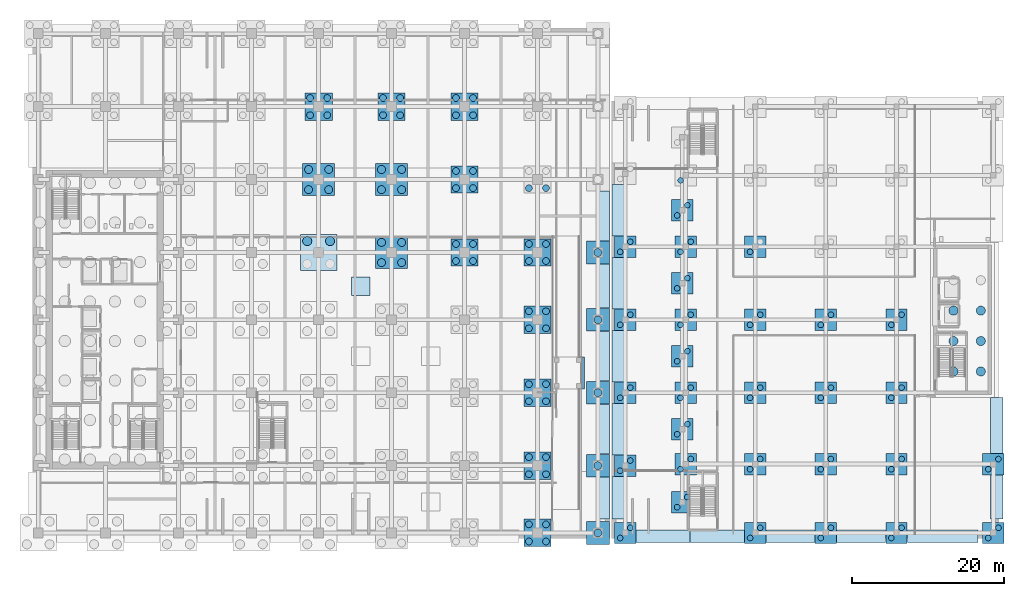
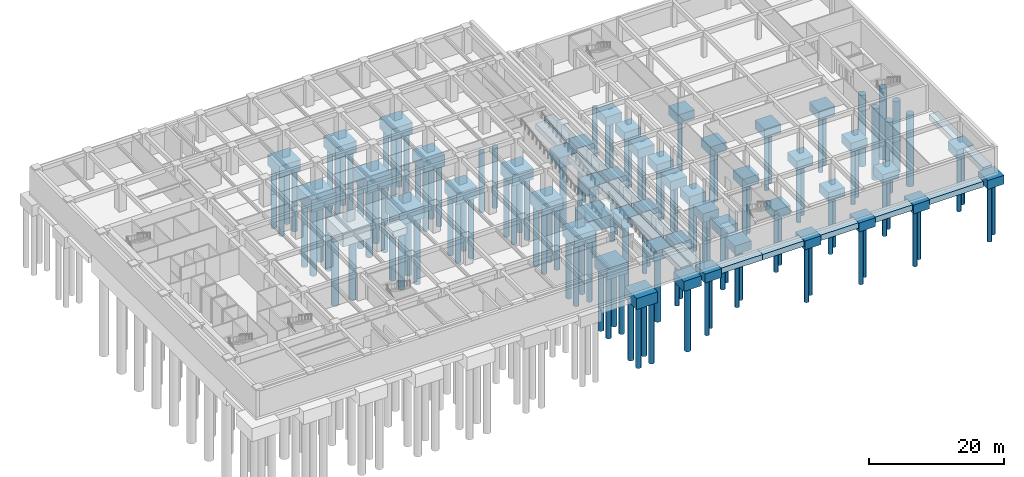
# One storey, part 2 of 20: 125 piles, 67 footings.
"""IFC4 building model written with IfcOpenShell, lengths in metres."""

from ifc_helpers import new_model, si_unit, direction, frame, origin, origin_2d, place, context, subcontext, project, spatial, rectangle, circle, extrude, material, material_profile, profile_set, type_object, element, save


model = new_model("IFC4")

# Units and contexts
model_context = context("Model", 3, precision=1e-05, world=origin(), true_north=direction((0.0, 1.0)))
body_context = subcontext(model_context, "Body", "Model", "MODEL_VIEW")
ifc_project = project(units=[si_unit("LENGTHUNIT", "METRE"), si_unit("AREAUNIT", "SQUARE_METRE"), si_unit("VOLUMEUNIT", "CUBIC_METRE"), si_unit("PLANEANGLEUNIT", "RADIAN"), si_unit("MASSUNIT", "GRAM", prefix="KILO")], contexts=[model_context])

# Site, building, storey
site_placement = place(None, origin())
site = spatial("IfcSite", under=ifc_project, at=site_placement, CompositionType="ELEMENT")
building_placement = place(site_placement, origin())
building = spatial("IfcBuilding", under=site, at=building_placement, Name="Norrvale University Quadrangle", CompositionType="ELEMENT")
storey_placement = place(building_placement, frame((0.0, 0.0, -5.0)))
storey = spatial("IfcBuildingStorey", under=building, at=storey_placement, Name="B01", CompositionType="ELEMENT", Elevation=-5.0)

# Footings
ifc_material = material(Name="Concrete C50/60", Category="concrete")
footing_type_1 = type_object("IfcFootingType", Name="Footing Cap 3000x3000x1800", PredefinedType="PILE_CAP", material=ifc_material)
for number, where, z_axis, x_axis, name in (
    (1, (74.39990234375, 0.75, -2.22021484375), (0.0, 0.0, 1.0), (1.0, 0.0, 0.0), "Tower Pile Cap 055"),
    (2, (74.39990234375, 9.60009765625, -2.22021484375), (0.0, 0.0, 1.0), (1.0, 0.0, 0.0), "Tower Pile Cap 056"),
    (3, (74.39990234375, 19.199951171875, -2.22021484375), (0.0, 0.0, 1.0), (1.0, 0.0, 0.0), "Tower Pile Cap 057"),
    (4, (74.39990234375, 28.800048828125, -2.22021484375), (0.0, 0.0, 1.0), (1.0, 0.0, 0.0), "Tower Pile Cap 058"),
    (5, (74.39990234375, 37.64990234375, -2.22021484375), (0.0, 0.0, 1.0), (1.0, 0.0, 0.0), "Tower Pile Cap 059"),
):
    element("IfcFooting", number, at=place(storey_placement, frame(where, z_axis=z_axis, x_axis=x_axis)), inside=storey, type_object=footing_type_1, Name=name, PredefinedType="PILE_CAP", context=body_context, shape_type="SweptSolid", body=[
        extrude(rectangle(XDim=3.0, YDim=3.0, at=origin_2d()), origin(), (0.0, 0.0, 1.0), 1.800048828125),
    ])
footing_type_2 = type_object("IfcFootingType", Name="Footing Cap 3600x3600x2000", PredefinedType="PILE_CAP", material=ifc_material)
for number, where, z_axis, x_axis, name in (
    (6, (37.64990234375, 56.85009765625, -2.419921875), (0.0, 0.0, 1.0), (1.0, 0.0, 0.0), "Tower Pile Cap 029"),
    (7, (47.25, 56.85009765625, -2.419921875), (0.0, 0.0, 1.0), (1.0, 0.0, 0.0), "Tower Pile Cap 037"),
    (8, (56.85009765625, 37.64990234375, -2.419921875), (0.0, 0.0, 1.0), (1.0, 0.0, 0.0), "Tower Pile Cap 043"),
    (9, (56.85009765625, 47.25, -2.419921875), (0.0, 0.0, 1.0), (1.0, 0.0, 0.0), "Tower Pile Cap 044"),
    (10, (56.85009765625, 56.85009765625, -2.419921875), (0.0, 0.0, 1.0), (1.0, 0.0, 0.0), "Tower Pile Cap 045"),
    (11, (66.449951171875, 0.75, -2.419921875), (0.0, 0.0, 1.0), (1.0, 0.0, 0.0), "Tower Pile Cap 047"),
    (12, (66.449951171875, 9.60009765625, -2.419921875), (0.0, 0.0, 1.0), (1.0, 0.0, 0.0), "Tower Pile Cap 048"),
    (13, (66.449951171875, 19.199951171875, -2.419921875), (0.0, 0.0, 1.0), (1.0, 0.0, 0.0), "Tower Pile Cap 049"),
    (14, (66.449951171875, 28.800048828125, -2.419921875), (0.0, 0.0, 1.0), (1.0, 0.0, 0.0), "Tower Pile Cap 050"),
    (15, (66.449951171875, 37.64990234375, -2.419921875), (0.0, 0.0, 1.0), (1.0, 0.0, 0.0), "Tower Pile Cap 051"),
):
    element("IfcFooting", number, at=place(storey_placement, frame(where, z_axis=z_axis, x_axis=x_axis)), inside=storey, type_object=footing_type_2, Name=name, PredefinedType="PILE_CAP", context=body_context, shape_type="SweptSolid", body=[
        extrude(rectangle(XDim=3.60009765625, YDim=3.60009765625, at=origin_2d()), origin(), (0.0, 0.0, 1.0), 2.0),
    ])
footing_type_3 = type_object("IfcFootingType", Name="Footing Cap 4200x4200x2200", PredefinedType="PILE_CAP", material=ifc_material)
for number, where, z_axis, x_axis, name in (
    (16, (37.64990234375, 47.25, -2.6201171875), (0.0, 0.0, 1.0), (1.0, 0.0, 0.0), "Tower Pile Cap 028"),
    (17, (47.25, 37.64990234375, -2.6201171875), (0.0, 0.0, 1.0), (1.0, 0.0, 0.0), "Tower Pile Cap 035"),
    (18, (47.25, 47.25, -2.6201171875), (0.0, 0.0, 1.0), (1.0, 0.0, 0.0), "Tower Pile Cap 036"),
    (19, (70.550048828125, 21.800048828125, -2.6201171875), (0.0, 0.0, 1.0), (1.0, 0.0, 0.0), "Service Ramp Combined Footing"),
):
    element("IfcFooting", number, at=place(storey_placement, frame(where, z_axis=z_axis, x_axis=x_axis)), inside=storey, type_object=footing_type_3, Name=name, PredefinedType="PILE_CAP", context=body_context, shape_type="SweptSolid", body=[
        extrude(rectangle(XDim=4.199951171875, YDim=4.199951171875, at=origin_2d()), origin(), (0.0, 0.0, 1.0), 2.199951171875),
    ])
footing_type_4 = type_object("IfcFootingType", Name="Footing Cap 4800x4800x2400", PredefinedType="PILE_CAP", material=ifc_material)
footing_1_placement = place(storey_placement, frame((37.64990234375, 37.64990234375, -2.820068359375), z_axis=(0.0, 0.0, 1.0), x_axis=(1.0, 0.0, 0.0)))
element("IfcFooting", 20, at=footing_1_placement, inside=storey, type_object=footing_type_4, Name="Tower Pile Cap 027", PredefinedType="PILE_CAP", context=body_context, shape_type="SweptSolid", body=[
    extrude(rectangle(XDim=4.800048828125, YDim=4.800048828125, at=origin_2d()), origin(), (0.0, 0.0, 1.0), 2.39990234375),
])
footing_type_5 = type_object("IfcFootingType", Name="Footing Lib Cap 2800x2800", PredefinedType="PILE_CAP", material=ifc_material)
for number, where, z_axis, x_axis, name in (
    (21, (78.0, 0.75, -2.02001953125), (0.0, 0.0, 1.0), (1.0, 0.0, 0.0), "Library Pile Cap 063"),
    (22, (78.0, 9.60009765625, -2.02001953125), (0.0, 0.0, 1.0), (1.0, 0.0, 0.0), "Library Pile Cap 064"),
    (23, (78.0, 19.199951171875, -2.02001953125), (0.0, 0.0, 1.0), (1.0, 0.0, 0.0), "Library Pile Cap 065"),
    (24, (78.0, 28.800048828125, -2.02001953125), (0.0, 0.0, 1.0), (1.0, 0.0, 0.0), "Library Pile Cap 066"),
    (25, (78.0, 38.39990234375, -2.02001953125), (0.0, 0.0, 1.0), (1.0, 0.0, 0.0), "Library Pile Cap 067"),
    (26, (85.5, 4.800048828125, -2.02001953125), (0.0, 0.0, 1.0), (1.0, 0.0, 0.0), "Library Pile Cap 070"),
    (27, (85.5, 14.39990234375, -2.02001953125), (0.0, 0.0, 1.0), (1.0, 0.0, 0.0), "Library Pile Cap 071"),
    (28, (85.5, 24.0, -2.02001953125), (0.0, 0.0, 1.0), (1.0, 0.0, 0.0), "Library Pile Cap 072"),
    (29, (85.5, 33.60009765625, -2.02001953125), (0.0, 0.0, 1.0), (1.0, 0.0, 0.0), "Library Pile Cap 073"),
    (30, (85.5, 43.199951171875, -2.02001953125), (0.0, 0.0, 1.0), (1.0, 0.0, 0.0), "Library Pile Cap 074"),
    (31, (85.949951171875, 9.800048828125, -2.02001953125), (0.0, 0.0, 1.0), (1.0, 0.0, 0.0), "Library Pile Cap 076"),
    (32, (85.949951171875, 19.199951171875, -2.02001953125), (0.0, 0.0, 1.0), (1.0, 0.0, 0.0), "Library Pile Cap 077"),
    (33, (85.949951171875, 28.800048828125, -2.02001953125), (0.0, 0.0, 1.0), (1.0, 0.0, 0.0), "Library Pile Cap 078"),
    (34, (85.949951171875, 38.39990234375, -2.02001953125), (0.0, 0.0, 1.0), (1.0, 0.0, 0.0), "Library Pile Cap 079"),
    (35, (95.10009765625, 0.75, -2.02001953125), (0.0, 0.0, 1.0), (1.0, 0.0, 0.0), "Library Pile Cap 081"),
    (36, (95.10009765625, 9.800048828125, -2.02001953125), (0.0, 0.0, 1.0), (1.0, 0.0, 0.0), "Library Pile Cap 082"),
    (37, (95.10009765625, 19.199951171875, -2.02001953125), (0.0, 0.0, 1.0), (1.0, 0.0, 0.0), "Library Pile Cap 083"),
    (38, (95.10009765625, 28.800048828125, -2.02001953125), (0.0, 0.0, 1.0), (1.0, 0.0, 0.0), "Library Pile Cap 084"),
    (39, (95.10009765625, 38.39990234375, -2.02001953125), (0.0, 0.0, 1.0), (1.0, 0.0, 0.0), "Library Pile Cap 085"),
    (40, (104.39990234375, 0.75, -2.02001953125), (0.0, 0.0, 1.0), (1.0, 0.0, 0.0), "Library Pile Cap 088"),
    (41, (104.39990234375, 9.800048828125, -2.02001953125), (0.0, 0.0, 1.0), (1.0, 0.0, 0.0), "Library Pile Cap 089"),
    (42, (104.39990234375, 19.199951171875, -2.02001953125), (0.0, 0.0, 1.0), (1.0, 0.0, 0.0), "Library Pile Cap 090"),
    (43, (104.39990234375, 28.800048828125, -2.02001953125), (0.0, 0.0, 1.0), (1.0, 0.0, 0.0), "Library Pile Cap 091"),
    (44, (113.699951171875, 0.75, -2.02001953125), (0.0, 0.0, 1.0), (1.0, 0.0, 0.0), "Library Pile Cap 095"),
    (45, (113.699951171875, 9.800048828125, -2.02001953125), (0.0, 0.0, 1.0), (1.0, 0.0, 0.0), "Library Pile Cap 096"),
    (46, (113.699951171875, 19.199951171875, -2.02001953125), (0.0, 0.0, 1.0), (1.0, 0.0, 0.0), "Library Pile Cap 097"),
    (47, (113.699951171875, 28.800048828125, -2.02001953125), (0.0, 0.0, 1.0), (1.0, 0.0, 0.0), "Library Pile Cap 098"),
    (48, (126.449951171875, 0.75, -2.02001953125), (0.0, 0.0, 1.0), (1.0, 0.0, 0.0), "Library Pile Cap 102"),
    (49, (126.449951171875, 9.800048828125, -2.02001953125), (0.0, 0.0, 1.0), (1.0, 0.0, 0.0), "Library Pile Cap 103"),
):
    element("IfcFooting", number, at=place(storey_placement, frame(where, z_axis=z_axis, x_axis=x_axis)), inside=storey, type_object=footing_type_5, Name=name, PredefinedType="PILE_CAP", context=body_context, shape_type="SweptSolid", body=[
        extrude(rectangle(XDim=2.800048828125, YDim=2.800048828125, at=origin_2d()), origin(), (0.0, 0.0, 1.0), 1.60009765625),
    ])
footing_type_6 = type_object("IfcFootingType", Name="Footing Pad 2400x2400x1200", PredefinedType="PAD_FOOTING", material=ifc_material)
footing_2_placement = place(storey_placement, frame((43.199951171875, 33.199951171875, -1.6201171875), z_axis=(0.0, 0.0, 1.0), x_axis=(1.0, 0.0, 0.0)))
element("IfcFooting", 50, at=footing_2_placement, inside=storey, type_object=footing_type_6, Name="Basement Pad Footing FP1-05", PredefinedType="PAD_FOOTING", context=body_context, shape_type="SweptSolid", body=[
    extrude(rectangle(XDim=2.39990234375, YDim=2.39990234375, at=origin_2d()), origin(), (0.0, 0.0, 1.0), 1.199951171875),
])
footing_type_7 = type_object("IfcFootingType", Name="Footing Strip 1600x1000", PredefinedType="STRIP_FOOTING", material=ifc_material)
footing_3_placement = place(storey_placement, frame((75.14990234375, 5.340087890625, -1.419921875), z_axis=(0.0, 0.0, 1.0), x_axis=(0.0, 1.0, 0.0)))
element("IfcFooting", 51, at=footing_3_placement, inside=storey, type_object=footing_type_7, Name="Perimeter Strip Footing FS1-18", PredefinedType="STRIP_FOOTING", context=body_context, shape_type="SweptSolid", body=[
    extrude(rectangle(XDim=5.47998046875, YDim=1.60009765625, at=origin_2d()), origin(), (0.0, 0.0, 1.0), 1.0),
])
for number, where, z_axis, x_axis, name in (
    (52, (75.14990234375, 14.39990234375, -1.419921875), (0.0, 0.0, 1.0), (0.0, 1.0, 0.0), "Perimeter Strip Footing FS1-19"),
    (53, (75.14990234375, 24.0, -1.419921875), (0.0, 0.0, 1.0), (0.0, 1.0, 0.0), "Perimeter Strip Footing FS1-20"),
):
    element("IfcFooting", number, at=place(storey_placement, frame(where, z_axis=z_axis, x_axis=x_axis)), inside=storey, type_object=footing_type_7, Name=name, PredefinedType="STRIP_FOOTING", context=body_context, shape_type="SweptSolid", body=[
        extrude(rectangle(XDim=6.56005859375, YDim=1.60009765625, at=origin_2d()), origin(), (0.0, 0.0, 1.0), 1.0),
    ])
footing_4_placement = place(storey_placement, frame((75.14990234375, 33.22509765625, -1.419921875), z_axis=(0.0, 0.0, 1.0), x_axis=(0.0, 1.0, 0.0)))
element("IfcFooting", 54, at=footing_4_placement, inside=storey, type_object=footing_type_7, Name="Perimeter Strip Footing FS1-21", PredefinedType="STRIP_FOOTING", context=body_context, shape_type="SweptSolid", body=[
    extrude(rectangle(XDim=5.81005859375, YDim=1.60009765625, at=origin_2d()), origin(), (0.0, 0.0, 1.0), 1.0),
])
footing_5_placement = place(storey_placement, frame((75.14990234375, 42.449951171875, -1.419921875), z_axis=(0.0, 0.0, 1.0), x_axis=(0.0, 1.0, 0.0)))
element("IfcFooting", 55, at=footing_5_placement, inside=storey, type_object=footing_type_7, Name="Perimeter Strip Footing FS1-22", PredefinedType="STRIP_FOOTING", context=body_context, shape_type="SweptSolid", body=[
    extrude(rectangle(XDim=6.56005859375, YDim=1.60009765625, at=origin_2d()), origin(), (0.0, 0.0, 1.0), 1.0),
])
for number, where, z_axis, x_axis, name in (
    (56, (82.985107421875, 0.300048828125, -1.419921875), (0.0, 0.0, 1.0), (1.0, 0.0, 0.0), "Perimeter Strip Footing FS1-25"),
    (57, (90.114990234375, 0.300048828125, -1.419921875), (0.0, 0.0, 1.0), (1.0, 0.0, 0.0), "Perimeter Strip Footing FS1-26"),
):
    element("IfcFooting", number, at=place(storey_placement, frame(where, z_axis=z_axis, x_axis=x_axis)), inside=storey, type_object=footing_type_7, Name=name, PredefinedType="STRIP_FOOTING", context=body_context, shape_type="SweptSolid", body=[
        extrude(rectangle(XDim=7.1298828125, YDim=1.60009765625, at=origin_2d()), origin(), (0.0, 0.0, 1.0), 1.0),
    ])
for number, where, z_axis, x_axis, name in (
    (58, (99.75, 0.300048828125, -1.419921875), (0.0, 0.0, 1.0), (1.0, 0.0, 0.0), "Perimeter Strip Footing FS1-27"),
    (59, (109.050048828125, 0.300048828125, -1.419921875), (0.0, 0.0, 1.0), (1.0, 0.0, 0.0), "Perimeter Strip Footing FS1-28"),
):
    element("IfcFooting", number, at=place(storey_placement, frame(where, z_axis=z_axis, x_axis=x_axis)), inside=storey, type_object=footing_type_7, Name=name, PredefinedType="STRIP_FOOTING", context=body_context, shape_type="SweptSolid", body=[
        extrude(rectangle(XDim=6.4599609375, YDim=1.60009765625, at=origin_2d()), origin(), (0.0, 0.0, 1.0), 1.0),
    ])
footing_6_placement = place(storey_placement, frame((119.760009765625, 0.300048828125, -1.419921875), z_axis=(0.0, 0.0, 1.0), x_axis=(1.0, 0.0, 0.0)))
element("IfcFooting", 60, at=footing_6_placement, inside=storey, type_object=footing_type_7, Name="Perimeter Strip Footing FS1-29", PredefinedType="STRIP_FOOTING", context=body_context, shape_type="SweptSolid", body=[
    extrude(rectangle(XDim=9.280029296875, YDim=1.60009765625, at=origin_2d()), origin(), (0.0, 0.0, 1.0), 1.0),
])
footing_7_placement = place(storey_placement, frame((77.050048828125, 5.389892578125, -1.419921875), z_axis=(0.0, 0.0, 1.0), x_axis=(0.0, 1.0, 0.0)))
element("IfcFooting", 61, at=footing_7_placement, inside=storey, type_object=footing_type_7, Name="Perimeter Strip Footing FS1-35", PredefinedType="STRIP_FOOTING", context=body_context, shape_type="SweptSolid", body=[
    extrude(rectangle(XDim=5.580078125, YDim=1.60009765625, at=origin_2d()), origin(), (0.0, 0.0, 1.0), 1.0),
])
for number, where, z_axis, x_axis, name in (
    (62, (77.050048828125, 14.39990234375, -1.419921875), (0.0, 0.0, 1.0), (0.0, 1.0, 0.0), "Perimeter Strip Footing FS1-36"),
    (63, (77.050048828125, 24.0, -1.419921875), (0.0, 0.0, 1.0), (0.0, 1.0, 0.0), "Perimeter Strip Footing FS1-37"),
    (64, (77.050048828125, 33.60009765625, -1.419921875), (0.0, 0.0, 1.0), (0.0, 1.0, 0.0), "Perimeter Strip Footing FS1-38"),
    (65, (77.050048828125, 43.199951171875, -1.419921875), (0.0, 0.0, 1.0), (0.0, 1.0, 0.0), "Perimeter Strip Footing FS1-39"),
):
    element("IfcFooting", number, at=place(storey_placement, frame(where, z_axis=z_axis, x_axis=x_axis)), inside=storey, type_object=footing_type_7, Name=name, PredefinedType="STRIP_FOOTING", context=body_context, shape_type="SweptSolid", body=[
        extrude(rectangle(XDim=6.760009765625, YDim=1.60009765625, at=origin_2d()), origin(), (0.0, 0.0, 1.0), 1.0),
    ])
footing_8_placement = place(storey_placement, frame((126.89990234375, 5.489990234375, -1.419921875), z_axis=(0.0, 0.0, 1.0), x_axis=(0.0, 1.0, 0.0)))
element("IfcFooting", 66, at=footing_8_placement, inside=storey, type_object=footing_type_7, Name="Perimeter Strip Footing FS1-41", PredefinedType="STRIP_FOOTING", context=body_context, shape_type="SweptSolid", body=[
    extrude(rectangle(XDim=5.780029296875, YDim=1.60009765625, at=origin_2d()), origin(), (0.0, 0.0, 1.0), 1.0),
])
footing_9_placement = place(storey_placement, frame((126.89990234375, 14.89990234375, -1.419921875), z_axis=(0.0, 0.0, 1.0), x_axis=(0.0, 1.0, 0.0)))
element("IfcFooting", 67, at=footing_9_placement, inside=storey, type_object=footing_type_7, Name="Perimeter Strip Footing FS1-42", PredefinedType="STRIP_FOOTING", context=body_context, shape_type="SweptSolid", body=[
    extrude(rectangle(XDim=7.360107421875, YDim=1.60009765625, at=origin_2d()), origin(), (0.0, 0.0, 1.0), 1.0),
])

# Piles
ifc_material_profile_1 = material_profile(ifc_material, circle(Radius=0.52490234375, at=origin_2d()), Name="Concrete C50/60")
ifc_profile_set_1 = profile_set([ifc_material_profile_1], Name="Concrete C50/60")
pile_type_1 = type_object("IfcPileType", Name="Pile Caisson 1050", PredefinedType="BORED", material=ifc_profile_set_1)
for number, where, z_axis, x_axis, name in (
    (68, (36.324951171875, 45.925048828125, -2.6201171875), (0.0, 0.0, -1.0), (1.0, 0.0, 0.0), "Tower Caisson Pile 157"),
    (69, (38.97509765625, 45.925048828125, -2.6201171875), (0.0, 0.0, -1.0), (1.0, 0.0, 0.0), "Tower Caisson Pile 158"),
    (70, (36.324951171875, 48.574951171875, -2.6201171875), (0.0, 0.0, -1.0), (1.0, 0.0, 0.0), "Tower Caisson Pile 159"),
    (71, (38.97509765625, 48.574951171875, -2.6201171875), (0.0, 0.0, -1.0), (1.0, 0.0, 0.0), "Tower Caisson Pile 160"),
    (72, (45.925048828125, 36.324951171875, -2.6201171875), (0.0, 0.0, -1.0), (1.0, 0.0, 0.0), "Tower Caisson Pile 185"),
    (73, (48.574951171875, 36.324951171875, -2.6201171875), (0.0, 0.0, -1.0), (1.0, 0.0, 0.0), "Tower Caisson Pile 186"),
    (74, (45.925048828125, 38.97509765625, -2.6201171875), (0.0, 0.0, -1.0), (1.0, 0.0, 0.0), "Tower Caisson Pile 187"),
    (75, (48.574951171875, 38.97509765625, -2.6201171875), (0.0, 0.0, -1.0), (1.0, 0.0, 0.0), "Tower Caisson Pile 188"),
    (76, (45.925048828125, 45.925048828125, -2.6201171875), (0.0, 0.0, -1.0), (1.0, 0.0, 0.0), "Tower Caisson Pile 189"),
    (77, (48.574951171875, 45.925048828125, -2.6201171875), (0.0, 0.0, -1.0), (1.0, 0.0, 0.0), "Tower Caisson Pile 190"),
    (78, (45.925048828125, 48.574951171875, -2.6201171875), (0.0, 0.0, -1.0), (1.0, 0.0, 0.0), "Tower Caisson Pile 191"),
    (79, (48.574951171875, 48.574951171875, -2.6201171875), (0.0, 0.0, -1.0), (1.0, 0.0, 0.0), "Tower Caisson Pile 192"),
    (80, (74.39990234375, 0.75, -2.219970703125), (0.0, 0.0, -1.0), (1.0, 0.0, 0.0), "Tower Caisson Pile 265"),
    (81, (74.39990234375, 9.60009765625, -2.219970703125), (0.0, 0.0, -1.0), (1.0, 0.0, 0.0), "Tower Caisson Pile 266"),
    (82, (74.39990234375, 19.199951171875, -2.219970703125), (0.0, 0.0, -1.0), (1.0, 0.0, 0.0), "Tower Caisson Pile 267"),
    (83, (74.39990234375, 28.800048828125, -2.219970703125), (0.0, 0.0, -1.0), (1.0, 0.0, 0.0), "Tower Caisson Pile 268"),
    (84, (74.39990234375, 37.64990234375, -2.219970703125), (0.0, 0.0, -1.0), (1.0, 0.0, 0.0), "Tower Caisson Pile 269"),
):
    element("IfcPile", number, at=place(storey_placement, frame(where, z_axis=z_axis, x_axis=x_axis)), inside=storey, type_object=pile_type_1, Name=name, PredefinedType="BORED", context=body_context, shape_type="SweptSolid", body=[
        extrude(circle(Radius=0.52490234375, at=origin_2d()), origin(), (0.0, 0.0, 1.0), 12.0),
    ])
ifc_material_profile_2 = material_profile(ifc_material, circle(Radius=0.60009765625, at=origin_2d()), Name="Concrete C50/60")
ifc_profile_set_2 = profile_set([ifc_material_profile_2], Name="Concrete C50/60")
pile_type_2 = type_object("IfcPileType", Name="Pile Caisson 1200", PredefinedType="BORED", material=ifc_profile_set_2)
for number, where, z_axis, x_axis, name in (
    (85, (121.199951171875, 22.0, -1.800048828125), (0.0, 0.0, -1.0), (1.0, 0.0, 0.0), "Library Core Caisson Pile P02-041"),
    (86, (121.199951171875, 26.0, -1.800048828125), (0.0, 0.0, -1.0), (1.0, 0.0, 0.0), "Library Core Caisson Pile P02-042"),
    (87, (121.199951171875, 30.0, -1.800048828125), (0.0, 0.0, -1.0), (1.0, 0.0, 0.0), "Library Core Caisson Pile P02-043"),
    (88, (124.800048828125, 22.0, -1.800048828125), (0.0, 0.0, -1.0), (1.0, 0.0, 0.0), "Library Core Caisson Pile P02-045"),
    (89, (124.800048828125, 26.0, -1.800048828125), (0.0, 0.0, -1.0), (1.0, 0.0, 0.0), "Library Core Caisson Pile P02-046"),
    (90, (124.800048828125, 30.0, -1.800048828125), (0.0, 0.0, -1.0), (1.0, 0.0, 0.0), "Library Core Caisson Pile P02-047"),
    (91, (36.14990234375, 39.14990234375, -2.820068359375), (0.0, 0.0, -1.0), (1.0, 0.0, 0.0), "Tower Caisson Pile 155"),
    (92, (39.14990234375, 39.14990234375, -2.820068359375), (0.0, 0.0, -1.0), (1.0, 0.0, 0.0), "Tower Caisson Pile 156"),
):
    element("IfcPile", number, at=place(storey_placement, frame(where, z_axis=z_axis, x_axis=x_axis)), inside=storey, type_object=pile_type_2, Name=name, PredefinedType="BORED", context=body_context, shape_type="SweptSolid", body=[
        extrude(circle(Radius=0.60009765625, at=origin_2d()), origin(), (0.0, 0.0, 1.0), 13.0),
    ])
ifc_material_profile_3 = material_profile(ifc_material, circle(Radius=0.449951171875, at=origin_2d()), Name="Concrete C50/60")
ifc_profile_set_3 = profile_set([ifc_material_profile_3], Name="Concrete C50/60")
pile_type_3 = type_object("IfcPileType", Name="Pile Caisson 900", PredefinedType="BORED", material=ifc_profile_set_3)
for number, where, z_axis, x_axis, name in (
    (93, (36.52490234375, 55.72509765625, -2.419921875), (0.0, 0.0, -1.0), (1.0, 0.0, 0.0), "Tower Caisson Pile 161"),
    (94, (38.77490234375, 55.72509765625, -2.419921875), (0.0, 0.0, -1.0), (1.0, 0.0, 0.0), "Tower Caisson Pile 162"),
    (95, (36.52490234375, 57.97509765625, -2.419921875), (0.0, 0.0, -1.0), (1.0, 0.0, 0.0), "Tower Caisson Pile 163"),
    (96, (38.77490234375, 57.97509765625, -2.419921875), (0.0, 0.0, -1.0), (1.0, 0.0, 0.0), "Tower Caisson Pile 164"),
    (97, (46.125, 55.72509765625, -2.419921875), (0.0, 0.0, -1.0), (1.0, 0.0, 0.0), "Tower Caisson Pile 193"),
    (98, (48.375, 55.72509765625, -2.419921875), (0.0, 0.0, -1.0), (1.0, 0.0, 0.0), "Tower Caisson Pile 194"),
    (99, (46.125, 57.97509765625, -2.419921875), (0.0, 0.0, -1.0), (1.0, 0.0, 0.0), "Tower Caisson Pile 195"),
    (100, (48.375, 57.97509765625, -2.419921875), (0.0, 0.0, -1.0), (1.0, 0.0, 0.0), "Tower Caisson Pile 196"),
    (101, (55.72509765625, 36.52490234375, -2.419921875), (0.0, 0.0, -1.0), (1.0, 0.0, 0.0), "Tower Caisson Pile 217"),
    (102, (57.97509765625, 36.52490234375, -2.419921875), (0.0, 0.0, -1.0), (1.0, 0.0, 0.0), "Tower Caisson Pile 218"),
    (103, (55.72509765625, 38.77490234375, -2.419921875), (0.0, 0.0, -1.0), (1.0, 0.0, 0.0), "Tower Caisson Pile 219"),
    (104, (57.97509765625, 38.77490234375, -2.419921875), (0.0, 0.0, -1.0), (1.0, 0.0, 0.0), "Tower Caisson Pile 220"),
    (105, (55.72509765625, 46.125, -2.419921875), (0.0, 0.0, -1.0), (1.0, 0.0, 0.0), "Tower Caisson Pile 221"),
    (106, (57.97509765625, 46.125, -2.419921875), (0.0, 0.0, -1.0), (1.0, 0.0, 0.0), "Tower Caisson Pile 222"),
    (107, (55.72509765625, 48.375, -2.419921875), (0.0, 0.0, -1.0), (1.0, 0.0, 0.0), "Tower Caisson Pile 223"),
    (108, (57.97509765625, 48.375, -2.419921875), (0.0, 0.0, -1.0), (1.0, 0.0, 0.0), "Tower Caisson Pile 224"),
    (109, (55.72509765625, 55.72509765625, -2.419921875), (0.0, 0.0, -1.0), (1.0, 0.0, 0.0), "Tower Caisson Pile 225"),
    (110, (57.97509765625, 55.72509765625, -2.419921875), (0.0, 0.0, -1.0), (1.0, 0.0, 0.0), "Tower Caisson Pile 226"),
    (111, (55.72509765625, 57.97509765625, -2.419921875), (0.0, 0.0, -1.0), (1.0, 0.0, 0.0), "Tower Caisson Pile 227"),
    (112, (57.97509765625, 57.97509765625, -2.419921875), (0.0, 0.0, -1.0), (1.0, 0.0, 0.0), "Tower Caisson Pile 228"),
    (113, (65.324951171875, -0.375, -2.419921875), (0.0, 0.0, -1.0), (1.0, 0.0, 0.0), "Tower Caisson Pile 233"),
    (114, (67.574951171875, -0.375, -2.419921875), (0.0, 0.0, -1.0), (1.0, 0.0, 0.0), "Tower Caisson Pile 234"),
    (115, (65.324951171875, 1.875, -2.419921875), (0.0, 0.0, -1.0), (1.0, 0.0, 0.0), "Tower Caisson Pile 235"),
    (116, (67.574951171875, 1.875, -2.419921875), (0.0, 0.0, -1.0), (1.0, 0.0, 0.0), "Tower Caisson Pile 236"),
    (117, (65.324951171875, 8.47509765625, -2.419921875), (0.0, 0.0, -1.0), (1.0, 0.0, 0.0), "Tower Caisson Pile 237"),
    (118, (67.574951171875, 8.47509765625, -2.419921875), (0.0, 0.0, -1.0), (1.0, 0.0, 0.0), "Tower Caisson Pile 238"),
    (119, (65.324951171875, 10.72509765625, -2.419921875), (0.0, 0.0, -1.0), (1.0, 0.0, 0.0), "Tower Caisson Pile 239"),
    (120, (67.574951171875, 10.72509765625, -2.419921875), (0.0, 0.0, -1.0), (1.0, 0.0, 0.0), "Tower Caisson Pile 240"),
    (121, (65.324951171875, 18.074951171875, -2.419921875), (0.0, 0.0, -1.0), (1.0, 0.0, 0.0), "Tower Caisson Pile 241"),
    (122, (67.574951171875, 18.074951171875, -2.419921875), (0.0, 0.0, -1.0), (1.0, 0.0, 0.0), "Tower Caisson Pile 242"),
    (123, (65.324951171875, 20.324951171875, -2.419921875), (0.0, 0.0, -1.0), (1.0, 0.0, 0.0), "Tower Caisson Pile 243"),
    (124, (67.574951171875, 20.324951171875, -2.419921875), (0.0, 0.0, -1.0), (1.0, 0.0, 0.0), "Tower Caisson Pile 244"),
    (125, (65.324951171875, 27.675048828125, -2.419921875), (0.0, 0.0, -1.0), (1.0, 0.0, 0.0), "Tower Caisson Pile 245"),
    (126, (67.574951171875, 27.675048828125, -2.419921875), (0.0, 0.0, -1.0), (1.0, 0.0, 0.0), "Tower Caisson Pile 246"),
    (127, (65.324951171875, 29.925048828125, -2.419921875), (0.0, 0.0, -1.0), (1.0, 0.0, 0.0), "Tower Caisson Pile 247"),
    (128, (67.574951171875, 29.925048828125, -2.419921875), (0.0, 0.0, -1.0), (1.0, 0.0, 0.0), "Tower Caisson Pile 248"),
    (129, (65.324951171875, 36.52490234375, -2.419921875), (0.0, 0.0, -1.0), (1.0, 0.0, 0.0), "Tower Caisson Pile 249"),
    (130, (67.574951171875, 36.52490234375, -2.419921875), (0.0, 0.0, -1.0), (1.0, 0.0, 0.0), "Tower Caisson Pile 250"),
    (131, (65.324951171875, 38.77490234375, -2.419921875), (0.0, 0.0, -1.0), (1.0, 0.0, 0.0), "Tower Caisson Pile 251"),
    (132, (67.574951171875, 38.77490234375, -2.419921875), (0.0, 0.0, -1.0), (1.0, 0.0, 0.0), "Tower Caisson Pile 252"),
    (133, (65.324951171875, 46.125, -2.419921875), (0.0, 0.0, -1.0), (1.0, 0.0, 0.0), "Tower Caisson Pile 253"),
    (134, (67.574951171875, 46.125, -2.419921875), (0.0, 0.0, -1.0), (1.0, 0.0, 0.0), "Tower Caisson Pile 254"),
):
    element("IfcPile", number, at=place(storey_placement, frame(where, z_axis=z_axis, x_axis=x_axis)), inside=storey, type_object=pile_type_3, Name=name, PredefinedType="BORED", context=body_context, shape_type="SweptSolid", body=[
        extrude(circle(Radius=0.449951171875, at=origin_2d()), origin(), (0.0, 0.0, 1.0), 11.0),
    ])
ifc_material_profile_4 = material_profile(ifc_material, circle(Radius=0.375, at=origin_2d()), Name="Concrete C50/60")
ifc_profile_set_4 = profile_set([ifc_material_profile_4], Name="Concrete C50/60")
pile_type_4 = type_object("IfcPileType", Name="Pile Lib Bored 750", PredefinedType="BORED", material=ifc_profile_set_4)
for number, where, z_axis, x_axis, name in (
    (135, (77.330078125, 0.080078125, -2.02001953125), (0.0, 0.0, -1.0), (1.0, 0.0, 0.0), "Library Bored Pile 273"),
    (136, (78.669921875, 1.419921875, -2.02001953125), (0.0, 0.0, -1.0), (1.0, 0.0, 0.0), "Library Bored Pile 274"),
    (137, (77.330078125, 8.929931640625, -2.02001953125), (0.0, 0.0, -1.0), (1.0, 0.0, 0.0), "Library Bored Pile 275"),
    (138, (78.669921875, 10.27001953125, -2.02001953125), (0.0, 0.0, -1.0), (1.0, 0.0, 0.0), "Library Bored Pile 276"),
    (139, (77.330078125, 18.530029296875, -2.02001953125), (0.0, 0.0, -1.0), (1.0, 0.0, 0.0), "Library Bored Pile 277"),
    (140, (78.669921875, 19.8701171875, -2.02001953125), (0.0, 0.0, -1.0), (1.0, 0.0, 0.0), "Library Bored Pile 278"),
    (141, (77.330078125, 28.1298828125, -2.02001953125), (0.0, 0.0, -1.0), (1.0, 0.0, 0.0), "Library Bored Pile 279"),
    (142, (78.669921875, 29.469970703125, -2.02001953125), (0.0, 0.0, -1.0), (1.0, 0.0, 0.0), "Library Bored Pile 280"),
    (143, (77.330078125, 37.72998046875, -2.02001953125), (0.0, 0.0, -1.0), (1.0, 0.0, 0.0), "Library Bored Pile 281"),
    (144, (78.669921875, 39.070068359375, -2.02001953125), (0.0, 0.0, -1.0), (1.0, 0.0, 0.0), "Library Bored Pile 282"),
    (145, (84.830078125, 4.1298828125, -2.02001953125), (0.0, 0.0, -1.0), (1.0, 0.0, 0.0), "Library Bored Pile 287"),
    (146, (86.169921875, 5.469970703125, -2.02001953125), (0.0, 0.0, -1.0), (1.0, 0.0, 0.0), "Library Bored Pile 288"),
    (147, (84.830078125, 13.72998046875, -2.02001953125), (0.0, 0.0, -1.0), (1.0, 0.0, 0.0), "Library Bored Pile 289"),
    (148, (86.169921875, 15.070068359375, -2.02001953125), (0.0, 0.0, -1.0), (1.0, 0.0, 0.0), "Library Bored Pile 290"),
    (149, (84.830078125, 23.330078125, -2.02001953125), (0.0, 0.0, -1.0), (1.0, 0.0, 0.0), "Library Bored Pile 291"),
    (150, (86.169921875, 24.669921875, -2.02001953125), (0.0, 0.0, -1.0), (1.0, 0.0, 0.0), "Library Bored Pile 292"),
    (151, (84.830078125, 32.929931640625, -2.02001953125), (0.0, 0.0, -1.0), (1.0, 0.0, 0.0), "Library Bored Pile 293"),
    (152, (86.169921875, 34.27001953125, -2.02001953125), (0.0, 0.0, -1.0), (1.0, 0.0, 0.0), "Library Bored Pile 294"),
    (153, (84.830078125, 42.530029296875, -2.02001953125), (0.0, 0.0, -1.0), (1.0, 0.0, 0.0), "Library Bored Pile 295"),
    (154, (86.169921875, 43.8701171875, -2.02001953125), (0.0, 0.0, -1.0), (1.0, 0.0, 0.0), "Library Bored Pile 296"),
    (155, (85.280029296875, 9.1298828125, -2.02001953125), (0.0, 0.0, -1.0), (1.0, 0.0, 0.0), "Library Bored Pile 299"),
    (156, (86.6201171875, 10.469970703125, -2.02001953125), (0.0, 0.0, -1.0), (1.0, 0.0, 0.0), "Library Bored Pile 300"),
    (157, (85.280029296875, 18.530029296875, -2.02001953125), (0.0, 0.0, -1.0), (1.0, 0.0, 0.0), "Library Bored Pile 301"),
    (158, (86.6201171875, 19.8701171875, -2.02001953125), (0.0, 0.0, -1.0), (1.0, 0.0, 0.0), "Library Bored Pile 302"),
    (159, (85.280029296875, 28.1298828125, -2.02001953125), (0.0, 0.0, -1.0), (1.0, 0.0, 0.0), "Library Bored Pile 303"),
    (160, (86.6201171875, 29.469970703125, -2.02001953125), (0.0, 0.0, -1.0), (1.0, 0.0, 0.0), "Library Bored Pile 304"),
    (161, (85.280029296875, 37.72998046875, -2.02001953125), (0.0, 0.0, -1.0), (1.0, 0.0, 0.0), "Library Bored Pile 305"),
    (162, (86.6201171875, 39.070068359375, -2.02001953125), (0.0, 0.0, -1.0), (1.0, 0.0, 0.0), "Library Bored Pile 306"),
    (163, (85.280029296875, 47.1298828125, -2.02001953125), (0.0, 0.0, -1.0), (1.0, 0.0, 0.0), "Library Bored Pile 307"),
    (164, (94.429931640625, 0.080078125, -2.02001953125), (0.0, 0.0, -1.0), (1.0, 0.0, 0.0), "Library Bored Pile 309"),
    (165, (95.77001953125, 1.419921875, -2.02001953125), (0.0, 0.0, -1.0), (1.0, 0.0, 0.0), "Library Bored Pile 310"),
    (166, (94.429931640625, 9.1298828125, -2.02001953125), (0.0, 0.0, -1.0), (1.0, 0.0, 0.0), "Library Bored Pile 311"),
    (167, (95.77001953125, 10.469970703125, -2.02001953125), (0.0, 0.0, -1.0), (1.0, 0.0, 0.0), "Library Bored Pile 312"),
    (168, (94.429931640625, 18.530029296875, -2.02001953125), (0.0, 0.0, -1.0), (1.0, 0.0, 0.0), "Library Bored Pile 313"),
    (169, (95.77001953125, 19.8701171875, -2.02001953125), (0.0, 0.0, -1.0), (1.0, 0.0, 0.0), "Library Bored Pile 314"),
    (170, (94.429931640625, 28.1298828125, -2.02001953125), (0.0, 0.0, -1.0), (1.0, 0.0, 0.0), "Library Bored Pile 315"),
    (171, (95.77001953125, 29.469970703125, -2.02001953125), (0.0, 0.0, -1.0), (1.0, 0.0, 0.0), "Library Bored Pile 316"),
    (172, (94.429931640625, 37.72998046875, -2.02001953125), (0.0, 0.0, -1.0), (1.0, 0.0, 0.0), "Library Bored Pile 317"),
    (173, (103.72998046875, 0.080078125, -2.02001953125), (0.0, 0.0, -1.0), (1.0, 0.0, 0.0), "Library Bored Pile 323"),
    (174, (105.070068359375, 1.419921875, -2.02001953125), (0.0, 0.0, -1.0), (1.0, 0.0, 0.0), "Library Bored Pile 324"),
    (175, (103.72998046875, 9.1298828125, -2.02001953125), (0.0, 0.0, -1.0), (1.0, 0.0, 0.0), "Library Bored Pile 325"),
    (176, (105.070068359375, 10.469970703125, -2.02001953125), (0.0, 0.0, -1.0), (1.0, 0.0, 0.0), "Library Bored Pile 326"),
    (177, (103.72998046875, 18.530029296875, -2.02001953125), (0.0, 0.0, -1.0), (1.0, 0.0, 0.0), "Library Bored Pile 327"),
    (178, (105.070068359375, 19.8701171875, -2.02001953125), (0.0, 0.0, -1.0), (1.0, 0.0, 0.0), "Library Bored Pile 328"),
    (179, (103.72998046875, 28.1298828125, -2.02001953125), (0.0, 0.0, -1.0), (1.0, 0.0, 0.0), "Library Bored Pile 329"),
    (180, (105.070068359375, 29.469970703125, -2.02001953125), (0.0, 0.0, -1.0), (1.0, 0.0, 0.0), "Library Bored Pile 330"),
    (181, (113.030029296875, 0.080078125, -2.02001953125), (0.0, 0.0, -1.0), (1.0, 0.0, 0.0), "Library Bored Pile 337"),
    (182, (114.3701171875, 1.419921875, -2.02001953125), (0.0, 0.0, -1.0), (1.0, 0.0, 0.0), "Library Bored Pile 338"),
    (183, (113.030029296875, 9.1298828125, -2.02001953125), (0.0, 0.0, -1.0), (1.0, 0.0, 0.0), "Library Bored Pile 339"),
    (184, (114.3701171875, 10.469970703125, -2.02001953125), (0.0, 0.0, -1.0), (1.0, 0.0, 0.0), "Library Bored Pile 340"),
    (185, (113.030029296875, 18.530029296875, -2.02001953125), (0.0, 0.0, -1.0), (1.0, 0.0, 0.0), "Library Bored Pile 341"),
    (186, (114.3701171875, 19.8701171875, -2.02001953125), (0.0, 0.0, -1.0), (1.0, 0.0, 0.0), "Library Bored Pile 342"),
    (187, (113.030029296875, 28.1298828125, -2.02001953125), (0.0, 0.0, -1.0), (1.0, 0.0, 0.0), "Library Bored Pile 343"),
    (188, (114.3701171875, 29.469970703125, -2.02001953125), (0.0, 0.0, -1.0), (1.0, 0.0, 0.0), "Library Bored Pile 344"),
    (189, (125.780029296875, 0.080078125, -2.02001953125), (0.0, 0.0, -1.0), (1.0, 0.0, 0.0), "Library Bored Pile 351"),
    (190, (127.1201171875, 1.419921875, -2.02001953125), (0.0, 0.0, -1.0), (1.0, 0.0, 0.0), "Library Bored Pile 352"),
    (191, (125.780029296875, 9.1298828125, -2.02001953125), (0.0, 0.0, -1.0), (1.0, 0.0, 0.0), "Library Bored Pile 353"),
    (192, (127.1201171875, 10.469970703125, -2.02001953125), (0.0, 0.0, -1.0), (1.0, 0.0, 0.0), "Library Bored Pile 354"),
):
    element("IfcPile", number, at=place(storey_placement, frame(where, z_axis=z_axis, x_axis=x_axis)), inside=storey, type_object=pile_type_4, Name=name, PredefinedType="BORED", context=body_context, shape_type="SweptSolid", body=[
        extrude(circle(Radius=0.375, at=origin_2d()), origin(), (0.0, 0.0, 1.0), 10.0),
    ])

save(model, "model.ifc")
